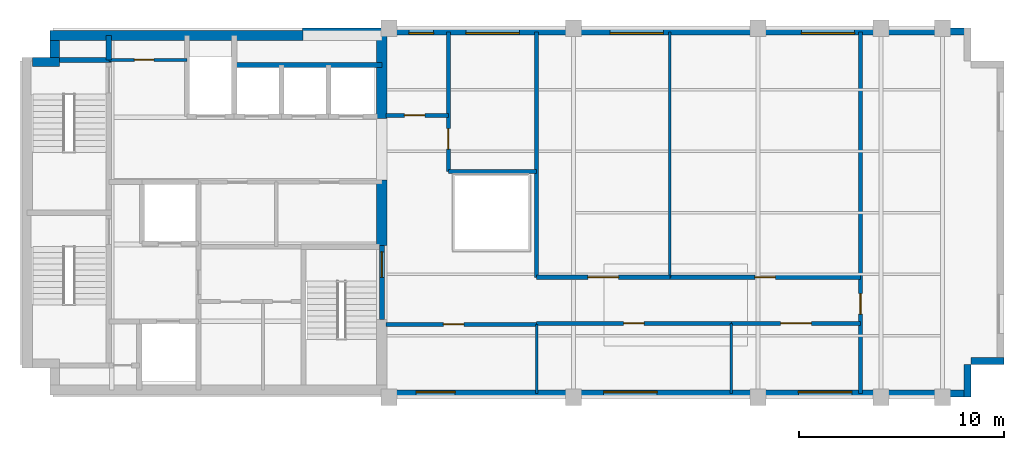
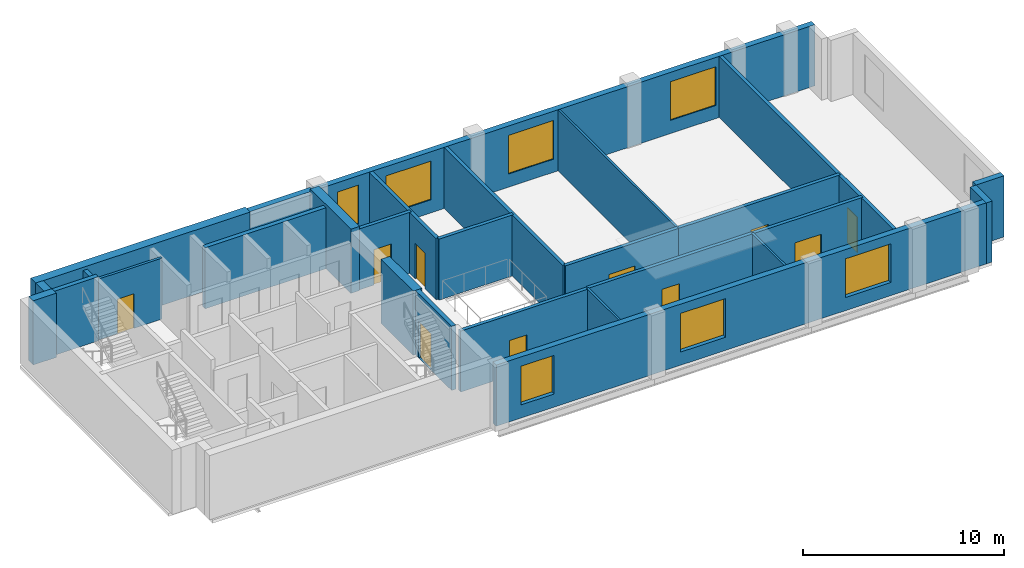
# One storey, part 3 of 5: 27 walls, 10 doors, 7 windows, 17 openings.
"""IFC4 building model written with IfcOpenShell, lengths in metres."""

from ifc_helpers import new_model, si_unit, direction, frame, frame_2d, origin, place, context, subcontext, project, spatial, rectangle, extrude, material, layer, layer_set, type_object, element, fill, save


model = new_model("IFC4")

# Units and contexts
model_context = context("Model", 3, precision=1e-05, world=origin(), true_north=direction((0.0, 1.0)))
body_context = subcontext(model_context, "Body", "Model", "MODEL_VIEW")
ifc_project = project(units=[si_unit("LENGTHUNIT", "METRE"), si_unit("AREAUNIT", "SQUARE_METRE"), si_unit("VOLUMEUNIT", "CUBIC_METRE"), si_unit("PLANEANGLEUNIT", "RADIAN"), si_unit("MASSUNIT", "GRAM", prefix="KILO")], contexts=[model_context])

# Site, building, storey
site_placement = place(None, origin())
site = spatial("IfcSite", under=ifc_project, at=site_placement, CompositionType="ELEMENT")
building_placement = place(site_placement, origin())
building = spatial("IfcBuilding", under=site, at=building_placement, Name="Mawjdan Bourse Tower", CompositionType="ELEMENT")
storey_placement = place(building_placement, frame((0.0, 0.0, 258.60009765625)))
storey = spatial("IfcBuildingStorey", under=building, at=storey_placement, Name="L63", CompositionType="ELEMENT", Elevation=258.60009765625)

# Wall, openings, windows
ifc_material_1 = material(Name="Brick Masonry Buff", Category="masonry")
ifc_layer_1 = layer(ifc_material_1, 0.340087890625)
ifc_layer_set_1 = layer_set([ifc_layer_1], Name="Brick Masonry Buff")
wall_type_1 = type_object("IfcWallType", Name="WL-BRK-SPN-340", PredefinedType="STANDARD", material=ifc_layer_set_1)
wall_1_placement = place(storey_placement, frame((23.89990234375, 3.169921875, 0.0), z_axis=(0.0, 0.0, 1.0), x_axis=(1.0, 0.0, 0.0)))
wall_1 = element("IfcWall", 1, at=wall_1_placement, inside=storey, type_object=wall_type_1, Name="L63 Exterior Brick Wall 1", PredefinedType="STANDARD", context=body_context, shape_type="SweptSolid", body=[
    extrude(rectangle(XDim=28.5, YDim=0.340087890625, at=frame_2d((14.25, 0.0))), origin(), (0.0, 0.0, 1.0), 3.71484375),
])
opening_1_placement = place(wall_1_placement, frame((1.425048828125, 0.0, 0.800048828125)))
opening_1 = element("IfcOpeningElement", 2, at=opening_1_placement, cuts=wall_1, Name="Opening W-L63-01", PredefinedType="OPENING", context=body_context, shape_type="SweptSolid", body=[
    extrude(rectangle(XDim=1.89990234375, YDim=2.35009765625, at=frame_2d((0.949951171875, 1.175048828125))), frame((0.0, 0.18017578125, 0.0), z_axis=(0.0, -1.0, 0.0), x_axis=(1.0, 0.0, 0.0)), (0.0, 0.0, 1.0), 0.360107421875),
])
opening_2_placement = place(wall_1_placement, frame((10.574951171875, 0.0, 0.800048828125)))
opening_2 = element("IfcOpeningElement", 3, at=opening_2_placement, cuts=wall_1, Name="Opening W-L63-02", PredefinedType="OPENING", context=body_context, shape_type="SweptSolid", body=[
    extrude(rectangle(XDim=2.60009765625, YDim=2.35009765625, at=frame_2d((1.300048828125, 1.175048828125))), frame((0.0, 0.18017578125, 0.0), z_axis=(0.0, -1.0, 0.0), x_axis=(1.0, 0.0, 0.0)), (0.0, 0.0, 1.0), 0.360107421875),
])
opening_3_placement = place(wall_1_placement, frame((20.074951171875, 0.0, 0.800048828125)))
opening_3 = element("IfcOpeningElement", 4, at=opening_3_placement, cuts=wall_1, Name="Opening W-L63-03", PredefinedType="OPENING", context=body_context, shape_type="SweptSolid", body=[
    extrude(rectangle(XDim=2.60009765625, YDim=2.35009765625, at=frame_2d((1.300048828125, 1.175048828125))), frame((0.0, 0.18017578125, 0.0), z_axis=(0.0, -1.0, 0.0), x_axis=(1.0, 0.0, 0.0)), (0.0, 0.0, 1.0), 0.360107421875),
])
ifc_material_2 = material(Name="Solar-Control Clear Double Glazing", Category="glass")
window_type_1 = type_object("IfcWindowType", Name="WN-SMT-1900", PartitioningType="SINGLE_PANEL", PredefinedType="WINDOW", material=ifc_material_2)
window_1_placement = place(opening_1_placement, origin())
window_1 = element("IfcWindow", 5, at=window_1_placement, inside=storey, type_object=window_type_1, Name="L63 Deep-Set Masonry Window W-L63-01", OverallHeight=2.35009765625, OverallWidth=1.89990234375, PartitioningType="SINGLE_PANEL", PredefinedType="WINDOW", context=body_context, shape_type="SweptSolid", body=[
    extrude(rectangle(XDim=1.89990234375, YDim=2.35009765625, at=frame_2d((0.949951171875, 1.175048828125))), frame((0.0, 0.110107421875, 0.0), z_axis=(0.0, -1.0, 0.0), x_axis=(1.0, 0.0, 0.0)), (0.0, 0.0, 1.0), 0.06005859375),
])
fill(opening_1, window_1)
window_type_2 = type_object("IfcWindowType", Name="WN-SMT-2600", PartitioningType="SINGLE_PANEL", PredefinedType="WINDOW", material=ifc_material_2)
window_2_placement = place(opening_2_placement, origin())
window_2 = element("IfcWindow", 6, at=window_2_placement, inside=storey, type_object=window_type_2, Name="L63 Deep-Set Masonry Window W-L63-02", OverallHeight=2.35009765625, OverallWidth=2.60009765625, PartitioningType="SINGLE_PANEL", PredefinedType="WINDOW", context=body_context, shape_type="SweptSolid", body=[
    extrude(rectangle(XDim=2.60009765625, YDim=2.35009765625, at=frame_2d((1.300048828125, 1.175048828125))), frame((0.0, 0.110107421875, 0.0), z_axis=(0.0, -1.0, 0.0), x_axis=(1.0, 0.0, 0.0)), (0.0, 0.0, 1.0), 0.06005859375),
])
fill(opening_2, window_2)
window_3_placement = place(opening_3_placement, origin())
window_3 = element("IfcWindow", 7, at=window_3_placement, inside=storey, type_object=window_type_2, Name="L63 Deep-Set Masonry Window W-L63-03", OverallHeight=2.35009765625, OverallWidth=2.60009765625, PartitioningType="SINGLE_PANEL", PredefinedType="WINDOW", context=body_context, shape_type="SweptSolid", body=[
    extrude(rectangle(XDim=2.60009765625, YDim=2.35009765625, at=frame_2d((1.300048828125, 1.175048828125))), frame((0.0, 0.110107421875, 0.0), z_axis=(0.0, -1.0, 0.0), x_axis=(1.0, 0.0, 0.0)), (0.0, 0.0, 1.0), 0.06005859375),
])
fill(opening_3, window_3)

# Walls
for number, where, z_axis, x_axis, name in (
    (8, (52.22998046875, 3.0, 0.0), (0.0, 0.0, 1.0), (0.0, 1.0, 0.0), "L63 Exterior Brick Wall 2"),
    (9, (52.39990234375, 4.77001953125, 0.0), (0.0, 0.0, 1.0), (1.0, 0.0, 0.0), "L63 Exterior Brick Wall 3"),
):
    element("IfcWall", number, at=place(storey_placement, frame(where, z_axis=z_axis, x_axis=x_axis)), inside=storey, type_object=wall_type_1, Name=name, PredefinedType="STANDARD", context=body_context, shape_type="SweptSolid", body=[
        extrude(rectangle(XDim=1.60009765625, YDim=0.340087890625, at=frame_2d((0.800048828125, 0.0))), origin(), (0.0, 0.0, 1.0), 3.71484375),
    ])

# Wall, openings, windows
wall_2_placement = place(storey_placement, frame((52.39990234375, 20.830078125, 0.0), z_axis=(0.0, 0.0, 1.0), x_axis=(-1.0, 0.0, 0.0)))
wall_2 = element("IfcWall", 10, at=wall_2_placement, inside=storey, type_object=wall_type_1, Name="L63 Exterior Brick Wall 7", PredefinedType="STANDARD", context=body_context, shape_type="SweptSolid", body=[
    extrude(rectangle(XDim=32.619873046875, YDim=0.340087890625, at=frame_2d((16.31005859375, 0.0))), origin(), (0.0, 0.0, 1.0), 3.71484375),
])
opening_4_placement = place(wall_2_placement, frame((5.68994140625, 0.0, 0.800048828125)))
opening_4 = element("IfcOpeningElement", 11, at=opening_4_placement, cuts=wall_2, Name="Opening W-L63-06", PredefinedType="OPENING", context=body_context, shape_type="SweptSolid", body=[
    extrude(rectangle(XDim=2.60009765625, YDim=2.35009765625, at=frame_2d((1.300048828125, 1.175048828125))), frame((0.0, 0.18017578125, 0.0), z_axis=(0.0, -1.0, 0.0), x_axis=(1.0, 0.0, 0.0)), (0.0, 0.0, 1.0), 0.360107421875),
])
opening_5_placement = place(wall_2_placement, frame((15.010009765625, 0.0, 0.800048828125)))
opening_5 = element("IfcOpeningElement", 12, at=opening_5_placement, cuts=wall_2, Name="Opening W-L63-07", PredefinedType="OPENING", context=body_context, shape_type="SweptSolid", body=[
    extrude(rectangle(XDim=2.60009765625, YDim=2.35009765625, at=frame_2d((1.300048828125, 1.175048828125))), frame((0.0, 0.18017578125, 0.0), z_axis=(0.0, -1.0, 0.0), x_axis=(1.0, 0.0, 0.0)), (0.0, 0.0, 1.0), 0.360107421875),
])
opening_6_placement = place(wall_2_placement, frame((26.225830078125, 0.0, 0.800048828125)))
opening_6 = element("IfcOpeningElement", 13, at=opening_6_placement, cuts=wall_2, Name="Opening W-L63-08", PredefinedType="OPENING", context=body_context, shape_type="SweptSolid", body=[
    extrude(rectangle(XDim=1.199951171875, YDim=2.35009765625, at=frame_2d((0.60009765625, 1.175048828125))), frame((0.0, 0.18017578125, 0.0), z_axis=(0.0, -1.0, 0.0), x_axis=(1.0, 0.0, 0.0)), (0.0, 0.0, 1.0), 0.360107421875),
])
opening_7_placement = place(wall_2_placement, frame((22.0458984375, 0.0, 0.800048828125)))
opening_7 = element("IfcOpeningElement", 14, at=opening_7_placement, cuts=wall_2, Name="Opening W-L63-09", PredefinedType="OPENING", context=body_context, shape_type="SweptSolid", body=[
    extrude(rectangle(XDim=2.60009765625, YDim=2.35009765625, at=frame_2d((1.300048828125, 1.175048828125))), frame((0.0, 0.18017578125, 0.0), z_axis=(0.0, -1.0, 0.0), x_axis=(1.0, 0.0, 0.0)), (0.0, 0.0, 1.0), 0.360107421875),
])
window_type_3 = type_object("IfcWindowType", Name="WN-SMT-1200", PartitioningType="SINGLE_PANEL", PredefinedType="WINDOW", material=ifc_material_2)
window_4_placement = place(opening_6_placement, origin())
window_4 = element("IfcWindow", 15, at=window_4_placement, inside=storey, type_object=window_type_3, Name="L63 Deep-Set Masonry Window W-L63-08", OverallHeight=2.35009765625, OverallWidth=1.199951171875, PartitioningType="SINGLE_PANEL", PredefinedType="WINDOW", context=body_context, shape_type="SweptSolid", body=[
    extrude(rectangle(XDim=1.199951171875, YDim=2.35009765625, at=frame_2d((0.60009765625, 1.175048828125))), frame((0.0, 0.110107421875, 0.0), z_axis=(0.0, -1.0, 0.0), x_axis=(1.0, 0.0, 0.0)), (0.0, 0.0, 1.0), 0.06005859375),
])
fill(opening_6, window_4)
window_5_placement = place(opening_4_placement, origin())
window_5 = element("IfcWindow", 16, at=window_5_placement, inside=storey, type_object=window_type_2, Name="L63 Deep-Set Masonry Window W-L63-06", OverallHeight=2.35009765625, OverallWidth=2.60009765625, PartitioningType="SINGLE_PANEL", PredefinedType="WINDOW", context=body_context, shape_type="SweptSolid", body=[
    extrude(rectangle(XDim=2.60009765625, YDim=2.35009765625, at=frame_2d((1.300048828125, 1.175048828125))), frame((0.0, 0.110107421875, 0.0), z_axis=(0.0, -1.0, 0.0), x_axis=(1.0, 0.0, 0.0)), (0.0, 0.0, 1.0), 0.06005859375),
])
fill(opening_4, window_5)
window_6_placement = place(opening_5_placement, origin())
window_6 = element("IfcWindow", 17, at=window_6_placement, inside=storey, type_object=window_type_2, Name="L63 Deep-Set Masonry Window W-L63-07", OverallHeight=2.35009765625, OverallWidth=2.60009765625, PartitioningType="SINGLE_PANEL", PredefinedType="WINDOW", context=body_context, shape_type="SweptSolid", body=[
    extrude(rectangle(XDim=2.60009765625, YDim=2.35009765625, at=frame_2d((1.300048828125, 1.175048828125))), frame((0.0, 0.110107421875, 0.0), z_axis=(0.0, -1.0, 0.0), x_axis=(1.0, 0.0, 0.0)), (0.0, 0.0, 1.0), 0.06005859375),
])
fill(opening_5, window_6)
window_7_placement = place(opening_7_placement, origin())
window_7 = element("IfcWindow", 18, at=window_7_placement, inside=storey, type_object=window_type_2, Name="L63 Deep-Set Masonry Window W-L63-09", OverallHeight=2.35009765625, OverallWidth=2.60009765625, PartitioningType="SINGLE_PANEL", PredefinedType="WINDOW", context=body_context, shape_type="SweptSolid", body=[
    extrude(rectangle(XDim=2.60009765625, YDim=2.35009765625, at=frame_2d((1.300048828125, 1.175048828125))), frame((0.0, 0.110107421875, 0.0), z_axis=(0.0, -1.0, 0.0), x_axis=(1.0, 0.0, 0.0)), (0.0, 0.0, 1.0), 0.06005859375),
])
fill(opening_7, window_7)

# Wall, opening, door
ifc_material_3 = material(Name="Gypsum Fireboard Assembly")
ifc_layer_2 = layer(ifc_material_3, 0.199951171875)
ifc_layer_set_2 = layer_set([ifc_layer_2], Name="Gypsum Fireboard Assembly")
wall_type_2 = type_object("IfcWallType", Name="WL-CMP-200", PredefinedType="PARTITIONING", material=ifc_layer_set_2)
wall_3_placement = place(storey_placement, frame((23.85009765625, 6.550048828125, 0.0), z_axis=(0.0, 0.0, 1.0), x_axis=(1.0, 0.0, 0.0)))
wall_3 = element("IfcWall", 19, at=wall_3_placement, inside=storey, type_object=wall_type_2, Name="L63 Summit Throat South Wall", PredefinedType="PARTITIONING", context=body_context, shape_type="SweptSolid", body=[
    extrude(rectangle(XDim=7.349853515625, YDim=0.199951171875, at=frame_2d((3.6748046875, 0.0))), origin(), (0.0, 0.0, 1.0), 3.704833984375),
])
opening_8_placement = place(wall_3_placement, frame((2.800048828125, 0.0, 0.0)))
opening_8 = element("IfcOpeningElement", 20, at=opening_8_placement, cuts=wall_3, Name="Opening D-L63-18", PredefinedType="OPENING", context=body_context, shape_type="SweptSolid", body=[
    extrude(rectangle(XDim=1.0, YDim=2.14990234375, at=frame_2d((0.5, 1.074951171875))), frame((0.0, 0.10986328125, 0.0), z_axis=(0.0, -1.0, 0.0), x_axis=(1.0, 0.0, 0.0)), (0.0, 0.0, 1.0), 0.219970703125),
])
ifc_material_4 = material(Name="Hardwood Acoustic Leaf", Category="wood")
door_type_1 = type_object("IfcDoorType", Name="DR-OFC-1000", OperationType="NOTDEFINED", PredefinedType="DOOR", material=ifc_material_4)
door_1_placement = place(opening_8_placement, origin())
door_1 = element("IfcDoor", 21, at=door_1_placement, inside=storey, type_object=door_type_1, Name="L63 Summit Throat South Room Door D-L63-18", OperationType="SINGLE_SWING_LEFT", OverallHeight=2.14990234375, OverallWidth=1.0, PredefinedType="DOOR", context=body_context, shape_type="SweptSolid", body=[
    extrude(rectangle(XDim=1.0, YDim=2.14990234375, at=frame_2d((0.5, 1.074951171875))), frame((0.0, 0.02490234375, 0.0), z_axis=(0.0, -1.0, 0.0), x_axis=(1.0, 0.0, 0.0)), (0.0, 0.0, 1.0), 0.050048828125),
])
fill(opening_8, door_1)

wall_4_placement = place(storey_placement, frame((23.85009765625, 16.75, 0.0), z_axis=(0.0, 0.0, 1.0), x_axis=(1.0, 0.0, 0.0)))
wall_4 = element("IfcWall", 22, at=wall_4_placement, inside=storey, type_object=wall_type_2, Name="L63 Summit NW Study South Wall", PredefinedType="PARTITIONING", context=body_context, shape_type="SweptSolid", body=[
    extrude(rectangle(XDim=3.0498046875, YDim=0.199951171875, at=frame_2d((1.52490234375, 0.0))), origin(), (0.0, 0.0, 1.0), 3.704833984375),
])
opening_9_placement = place(wall_4_placement, frame((0.89990234375, 0.0, 0.0)))
opening_9 = element("IfcOpeningElement", 23, at=opening_9_placement, cuts=wall_4, Name="Opening D-L63-19", PredefinedType="OPENING", context=body_context, shape_type="SweptSolid", body=[
    extrude(rectangle(XDim=1.0, YDim=2.14990234375, at=frame_2d((0.5, 1.074951171875))), frame((0.0, 0.10986328125, 0.0), z_axis=(0.0, -1.0, 0.0), x_axis=(1.0, 0.0, 0.0)), (0.0, 0.0, 1.0), 0.219970703125),
])
door_2_placement = place(opening_9_placement, origin())
door_2 = element("IfcDoor", 24, at=door_2_placement, inside=storey, type_object=door_type_1, Name="L63 Summit NW Study Door D-L63-19", OperationType="SINGLE_SWING_RIGHT", OverallHeight=2.14990234375, OverallWidth=1.0, PredefinedType="DOOR", context=body_context, shape_type="SweptSolid", body=[
    extrude(rectangle(XDim=1.0, YDim=2.14990234375, at=frame_2d((0.5, 1.074951171875))), frame((0.0, 0.02490234375, 0.0), z_axis=(0.0, -1.0, 0.0), x_axis=(1.0, 0.0, 0.0)), (0.0, 0.0, 1.0), 0.050048828125),
])
fill(opening_9, door_2)

wall_5_placement = place(storey_placement, frame((26.89990234375, 14.0, 0.0), z_axis=(0.0, 0.0, 1.0), x_axis=(0.0, 1.0, 0.0)))
wall_5 = element("IfcWall", 25, at=wall_5_placement, inside=storey, type_object=wall_type_2, Name="L63 Summit North Atrium Suite West Wall", PredefinedType="PARTITIONING", context=body_context, shape_type="SweptSolid", body=[
    extrude(rectangle(XDim=6.820068359375, YDim=0.199951171875, at=frame_2d((3.41015625, 0.0))), origin(), (0.0, 0.0, 1.0), 3.704833984375),
])
opening_10_placement = place(wall_5_placement, frame((1.10009765625, 0.0, 0.0)))
opening_10 = element("IfcOpeningElement", 26, at=opening_10_placement, cuts=wall_5, Name="Opening D-L63-20", PredefinedType="OPENING", context=body_context, shape_type="SweptSolid", body=[
    extrude(rectangle(XDim=1.0, YDim=2.14990234375, at=frame_2d((0.5, 1.074951171875))), frame((0.0, 0.10986328125, 0.0), z_axis=(0.0, -1.0, 0.0), x_axis=(1.0, 0.0, 0.0)), (0.0, 0.0, 1.0), 0.219970703125),
])
door_3_placement = place(opening_10_placement, origin())
door_3 = element("IfcDoor", 27, at=door_3_placement, inside=storey, type_object=door_type_1, Name="L63 Summit North Atrium Suite Door D-L63-20", OperationType="SINGLE_SWING_LEFT", OverallHeight=2.14990234375, OverallWidth=1.0, PredefinedType="DOOR", context=body_context, shape_type="SweptSolid", body=[
    extrude(rectangle(XDim=1.0, YDim=2.14990234375, at=frame_2d((0.5, 1.074951171875))), frame((0.0, 0.02490234375, 0.0), z_axis=(0.0, -1.0, 0.0), x_axis=(1.0, 0.0, 0.0)), (0.0, 0.0, 1.0), 0.050048828125),
])
fill(opening_10, door_3)

# Walls
wall_6_placement = place(storey_placement, frame((26.89990234375, 14.0, 0.0), z_axis=(0.0, 0.0, 1.0), x_axis=(1.0, 0.0, 0.0)))
element("IfcWall", 28, at=wall_6_placement, inside=storey, type_object=wall_type_2, Name="L63 Summit North Atrium Suite South Wall", PredefinedType="PARTITIONING", context=body_context, shape_type="SweptSolid", body=[
    extrude(rectangle(XDim=4.300048828125, YDim=0.199951171875, at=frame_2d((2.14990234375, 0.0))), origin(), (0.0, 0.0, 1.0), 3.704833984375),
])
wall_7_placement = place(storey_placement, frame((31.199951171875, 8.85009765625, 0.0), z_axis=(0.0, 0.0, 1.0), x_axis=(0.0, 1.0, 0.0)))
element("IfcWall", 29, at=wall_7_placement, inside=storey, type_object=wall_type_2, Name="L63 Summit North Atrium Suite East Wall", PredefinedType="PARTITIONING", context=body_context, shape_type="SweptSolid", body=[
    extrude(rectangle(XDim=11.969970703125, YDim=0.199951171875, at=frame_2d((5.98486328125, 0.0))), origin(), (0.0, 0.0, 1.0), 3.704833984375),
])

# Wall, opening, door
wall_8_placement = place(storey_placement, frame((31.199951171875, 6.60009765625, 0.0), z_axis=(0.0, 0.0, 1.0), x_axis=(1.0, 0.0, 0.0)))
wall_8 = element("IfcWall", 30, at=wall_8_placement, inside=storey, type_object=wall_type_2, Name="L63 Chairman Executive Office Corridor Wall", PredefinedType="PARTITIONING", context=body_context, shape_type="SweptSolid", body=[
    extrude(rectangle(XDim=9.5, YDim=0.199951171875, at=frame_2d((4.75, 0.0))), origin(), (0.0, 0.0, 1.0), 3.704833984375),
])
opening_11_placement = place(wall_8_placement, frame((4.25, 0.0, 0.0)))
opening_11 = element("IfcOpeningElement", 31, at=opening_11_placement, cuts=wall_8, Name="Opening D-L63-21", PredefinedType="OPENING", context=body_context, shape_type="SweptSolid", body=[
    extrude(rectangle(XDim=1.0, YDim=2.14990234375, at=frame_2d((0.5, 1.074951171875))), frame((0.0, 0.10986328125, 0.0), z_axis=(0.0, -1.0, 0.0), x_axis=(1.0, 0.0, 0.0)), (0.0, 0.0, 1.0), 0.219970703125),
])
door_4_placement = place(opening_11_placement, origin())
door_4 = element("IfcDoor", 32, at=door_4_placement, inside=storey, type_object=door_type_1, Name="L63 Chairman Executive Office Door D-L63-21", OperationType="SINGLE_SWING_RIGHT", OverallHeight=2.14990234375, OverallWidth=1.0, PredefinedType="DOOR", context=body_context, shape_type="SweptSolid", body=[
    extrude(rectangle(XDim=1.0, YDim=2.14990234375, at=frame_2d((0.5, 1.074951171875))), frame((0.0, 0.02490234375, 0.0), z_axis=(0.0, -1.0, 0.0), x_axis=(1.0, 0.0, 0.0)), (0.0, 0.0, 1.0), 0.050048828125),
])
fill(opening_11, door_4)

wall_9_placement = place(storey_placement, frame((40.699951171875, 6.60009765625, 0.0), z_axis=(0.0, 0.0, 1.0), x_axis=(1.0, 0.0, 0.0)))
wall_9 = element("IfcWall", 33, at=wall_9_placement, inside=storey, type_object=wall_type_2, Name="L63 Bourse Executive Boardroom Corridor Wall", PredefinedType="PARTITIONING", context=body_context, shape_type="SweptSolid", body=[
    extrude(rectangle(XDim=6.300048828125, YDim=0.199951171875, at=frame_2d((3.14990234375, 0.0))), origin(), (0.0, 0.0, 1.0), 3.704833984375),
])
opening_12_placement = place(wall_9_placement, frame((2.39990234375, 0.0, 0.0)))
opening_12 = element("IfcOpeningElement", 34, at=opening_12_placement, cuts=wall_9, Name="Opening D-L63-22", PredefinedType="OPENING", context=body_context, shape_type="SweptSolid", body=[
    extrude(rectangle(XDim=1.5, YDim=2.300048828125, at=frame_2d((0.75, 1.14990234375))), frame((0.0, 0.10986328125, 0.0), z_axis=(0.0, -1.0, 0.0), x_axis=(1.0, 0.0, 0.0)), (0.0, 0.0, 1.0), 0.219970703125),
])
ifc_material_5 = material(Name="Acoustic Glazed Timber", Category="wood")
door_type_2 = type_object("IfcDoorType", Name="DR-CNF-1500", OperationType="DOUBLE_DOOR_SINGLE_SWING", PredefinedType="DOOR", material=ifc_material_5)
door_5_placement = place(opening_12_placement, origin())
door_5 = element("IfcDoor", 35, at=door_5_placement, inside=storey, type_object=door_type_2, Name="L63 Bourse Executive Boardroom Door D-L63-22", OperationType="DOUBLE_DOOR_SINGLE_SWING", OverallHeight=2.300048828125, OverallWidth=1.5, PredefinedType="DOOR", context=body_context, shape_type="SweptSolid", body=[
    extrude(rectangle(XDim=1.5, YDim=2.300048828125, at=frame_2d((0.75, 1.14990234375))), frame((0.0, 0.02490234375, 0.0), z_axis=(0.0, -1.0, 0.0), x_axis=(1.0, 0.0, 0.0)), (0.0, 0.0, 1.0), 0.050048828125),
])
fill(opening_12, door_5)

wall_10_placement = place(storey_placement, frame((31.199951171875, 8.85009765625, 0.0), z_axis=(0.0, 0.0, 1.0), x_axis=(1.0, 0.0, 0.0)))
wall_10 = element("IfcWall", 36, at=wall_10_placement, inside=storey, type_object=wall_type_2, Name="L63 Conference Room Corridor Wall", PredefinedType="PARTITIONING", context=body_context, shape_type="SweptSolid", body=[
    extrude(rectangle(XDim=6.5, YDim=0.199951171875, at=frame_2d((3.25, 0.0))), origin(), (0.0, 0.0, 1.0), 3.704833984375),
])
opening_13_placement = place(wall_10_placement, frame((2.5, 0.0, 0.0)))
opening_13 = element("IfcOpeningElement", 37, at=opening_13_placement, cuts=wall_10, Name="Opening D-L63-23", PredefinedType="OPENING", context=body_context, shape_type="SweptSolid", body=[
    extrude(rectangle(XDim=1.5, YDim=2.300048828125, at=frame_2d((0.75, 1.14990234375))), frame((0.0, 0.10986328125, 0.0), z_axis=(0.0, -1.0, 0.0), x_axis=(1.0, 0.0, 0.0)), (0.0, 0.0, 1.0), 0.219970703125),
])
door_6_placement = place(opening_13_placement, origin())
door_6 = element("IfcDoor", 38, at=door_6_placement, inside=storey, type_object=door_type_2, Name="L63 Conference Room Door D-L63-23", OperationType="DOUBLE_DOOR_SINGLE_SWING", OverallHeight=2.300048828125, OverallWidth=1.5, PredefinedType="DOOR", context=body_context, shape_type="SweptSolid", body=[
    extrude(rectangle(XDim=1.5, YDim=2.300048828125, at=frame_2d((0.75, 1.14990234375))), frame((0.0, 0.02490234375, 0.0), z_axis=(0.0, -1.0, 0.0), x_axis=(1.0, 0.0, 0.0)), (0.0, 0.0, 1.0), 0.050048828125),
])
fill(opening_13, door_6)

wall_11_placement = place(storey_placement, frame((37.699951171875, 8.85009765625, 0.0), z_axis=(0.0, 0.0, 1.0), x_axis=(1.0, 0.0, 0.0)))
wall_11 = element("IfcWall", 39, at=wall_11_placement, inside=storey, type_object=wall_type_2, Name="L63 Diplomatic Salon Corridor Wall", PredefinedType="PARTITIONING", context=body_context, shape_type="SweptSolid", body=[
    extrude(rectangle(XDim=9.300048828125, YDim=0.199951171875, at=frame_2d((4.64990234375, 0.0))), origin(), (0.0, 0.0, 1.0), 3.704833984375),
])
opening_14_placement = place(wall_11_placement, frame((4.14990234375, 0.0, 0.0)))
opening_14 = element("IfcOpeningElement", 40, at=opening_14_placement, cuts=wall_11, Name="Opening D-L63-24", PredefinedType="OPENING", context=body_context, shape_type="SweptSolid", body=[
    extrude(rectangle(XDim=1.0, YDim=2.14990234375, at=frame_2d((0.5, 1.074951171875))), frame((0.0, 0.10986328125, 0.0), z_axis=(0.0, -1.0, 0.0), x_axis=(1.0, 0.0, 0.0)), (0.0, 0.0, 1.0), 0.219970703125),
])
door_7_placement = place(opening_14_placement, origin())
door_7 = element("IfcDoor", 41, at=door_7_placement, inside=storey, type_object=door_type_1, Name="L63 Diplomatic Salon Door D-L63-24", OperationType="SINGLE_SWING_LEFT", OverallHeight=2.14990234375, OverallWidth=1.0, PredefinedType="DOOR", context=body_context, shape_type="SweptSolid", body=[
    extrude(rectangle(XDim=1.0, YDim=2.14990234375, at=frame_2d((0.5, 1.074951171875))), frame((0.0, 0.02490234375, 0.0), z_axis=(0.0, -1.0, 0.0), x_axis=(1.0, 0.0, 0.0)), (0.0, 0.0, 1.0), 0.050048828125),
])
fill(opening_14, door_7)

wall_12_placement = place(storey_placement, frame((47.0, 3.179931640625, 0.0), z_axis=(0.0, 0.0, 1.0), x_axis=(0.0, 1.0, 0.0)))
wall_12 = element("IfcWall", 42, at=wall_12_placement, inside=storey, type_object=wall_type_2, Name="L63 East Tip Full Cross Wall", PredefinedType="PARTITIONING", context=body_context, shape_type="SweptSolid", body=[
    extrude(rectangle(XDim=17.64013671875, YDim=0.199951171875, at=frame_2d((8.820068359375, 0.0))), origin(), (0.0, 0.0, 1.0), 3.704833984375),
])
opening_15_placement = place(wall_12_placement, frame((3.875, 0.0, 0.0)))
opening_15 = element("IfcOpeningElement", 43, at=opening_15_placement, cuts=wall_12, Name="Opening D-L63-25", PredefinedType="OPENING", context=body_context, shape_type="SweptSolid", body=[
    extrude(rectangle(XDim=1.0, YDim=2.14990234375, at=frame_2d((0.5, 1.074951171875))), frame((0.0, 0.10986328125, 0.0), z_axis=(0.0, -1.0, 0.0), x_axis=(1.0, 0.0, 0.0)), (0.0, 0.0, 1.0), 0.219970703125),
])
door_8_placement = place(opening_15_placement, origin())
door_8 = element("IfcDoor", 44, at=door_8_placement, inside=storey, type_object=door_type_1, Name="L63 East Tip Hall Door D-L63-25", OperationType="SINGLE_SWING_RIGHT", OverallHeight=2.14990234375, OverallWidth=1.0, PredefinedType="DOOR", context=body_context, shape_type="SweptSolid", body=[
    extrude(rectangle(XDim=1.0, YDim=2.14990234375, at=frame_2d((0.5, 1.074951171875))), frame((0.0, 0.02490234375, 0.0), z_axis=(0.0, -1.0, 0.0), x_axis=(1.0, 0.0, 0.0)), (0.0, 0.0, 1.0), 0.050048828125),
])
fill(opening_15, door_8)

# Walls
ifc_material_6 = material(Name="Concrete C60/75", Category="concrete")
ifc_layer_3 = layer(ifc_material_6, 0.449951171875)
ifc_layer_set_3 = layer_set([ifc_layer_3], Name="Concrete C60/75")
wall_type_3 = type_object("IfcWallType", Name="WL-CORE-450", PredefinedType="SHEAR", material=ifc_layer_set_3)
wall_13_placement = place(storey_placement, frame((6.60009765625, 19.35009765625, 0.0), z_axis=(0.0, 0.0, 1.0), x_axis=(1.0, 0.0, 0.0)))
element("IfcWall", 45, at=wall_13_placement, inside=storey, type_object=wall_type_3, Name="L63 Rear Core Shear Wall NW-X", PredefinedType="SHEAR", context=body_context, shape_type="SweptSolid", body=[
    extrude(rectangle(XDim=1.324951171875, YDim=0.449951171875, at=frame_2d((0.66259765625, 0.0))), origin(), (0.0, 0.0, 1.0), 3.89990234375),
])
wall_14_placement = place(storey_placement, frame((7.699951171875, 19.574951171875, 0.0), z_axis=(0.0, 0.0, 1.0), x_axis=(0.0, 1.0, 0.0)))
element("IfcWall", 46, at=wall_14_placement, inside=storey, type_object=wall_type_3, Name="L63 Rear Core Shear Wall NW-Y", PredefinedType="SHEAR", context=body_context, shape_type="SweptSolid", body=[
    extrude(rectangle(XDim=0.824951171875, YDim=0.449951171875, at=frame_2d((0.41259765625, 0.0))), origin(), (0.0, 0.0, 1.0), 3.89990234375),
])
ifc_layer_4 = layer(ifc_material_6, 0.5)
ifc_layer_set_4 = layer_set([ifc_layer_4], Name="Concrete C60/75")
wall_type_4 = type_object("IfcWallType", Name="WL-CORE-500", PredefinedType="SHEAR", material=ifc_layer_set_4)
wall_15_placement = place(storey_placement, frame((7.47509765625, 20.64990234375, 0.0), z_axis=(0.0, 0.0, 1.0), x_axis=(1.0, 0.0, 0.0)))
element("IfcWall", 47, at=wall_15_placement, inside=storey, type_object=wall_type_4, Name="L63 Rear Core Shear Wall N", PredefinedType="SHEAR", context=body_context, shape_type="SweptSolid", body=[
    extrude(rectangle(XDim=12.324951171875, YDim=0.5, at=frame_2d((6.16259765625, 0.0))), origin(), (0.0, 0.0, 1.0), 3.89990234375),
])
wall_16_placement = place(storey_placement, frame((23.64990234375, 10.39990234375, 0.0), z_axis=(0.0, 0.0, 1.0), x_axis=(0.0, 1.0, 0.0)))
element("IfcWall", 48, at=wall_16_placement, inside=storey, type_object=wall_type_4, Name="L63 Rear Core Shear Wall E2", PredefinedType="SHEAR", context=body_context, shape_type="SweptSolid", body=[
    extrude(rectangle(XDim=3.2001953125, YDim=0.5, at=frame_2d((1.60009765625, 0.0))), origin(), (0.0, 0.0, 1.0), 3.89990234375),
])
wall_17_placement = place(storey_placement, frame((23.64990234375, 16.60009765625, 0.0), z_axis=(0.0, 0.0, 1.0), x_axis=(0.0, 1.0, 0.0)))
element("IfcWall", 49, at=wall_17_placement, inside=storey, type_object=wall_type_4, Name="L63 Rear Core Shear Wall E3", PredefinedType="SHEAR", context=body_context, shape_type="SweptSolid", body=[
    extrude(rectangle(XDim=4.0498046875, YDim=0.5, at=frame_2d((2.02490234375, 0.0))), origin(), (0.0, 0.0, 1.0), 3.89990234375),
])
ifc_material_7 = material(Name="Gypsum Partition")
ifc_layer_5 = layer(ifc_material_7, 0.125)
ifc_layer_set_5 = layer_set([ifc_layer_5], Name="Gypsum Partition")
wall_type_5 = type_object("IfcWallType", Name="WL-PRT-125", PredefinedType="PARTITIONING", material=ifc_layer_set_5)
wall_18_placement = place(storey_placement, frame((31.199951171875, 3.179931640625, 0.0), z_axis=(0.0, 0.0, 1.0), x_axis=(0.0, 1.0, 0.0)))
element("IfcWall", 50, at=wall_18_placement, inside=storey, type_object=wall_type_5, Name="L63 Summit Throat South Return", PredefinedType="PARTITIONING", context=body_context, shape_type="SweptSolid", body=[
    extrude(rectangle(XDim=3.3701171875, YDim=0.125, at=frame_2d((1.68505859375, 0.0))), origin(), (0.0, 0.0, 1.0), 3.704833984375),
])
wall_19_placement = place(storey_placement, frame((40.699951171875, 3.179931640625, 0.0), z_axis=(0.0, 0.0, 1.0), x_axis=(0.0, 1.0, 0.0)))
element("IfcWall", 51, at=wall_19_placement, inside=storey, type_object=wall_type_5, Name="L63 Bourse Executive Boardroom Partition", PredefinedType="PARTITIONING", context=body_context, shape_type="SweptSolid", body=[
    extrude(rectangle(XDim=3.420166015625, YDim=0.125, at=frame_2d((1.7099609375, 0.0))), origin(), (0.0, 0.0, 1.0), 3.704833984375),
])
wall_20_placement = place(storey_placement, frame((37.699951171875, 8.85009765625, 0.0), z_axis=(0.0, 0.0, 1.0), x_axis=(0.0, 1.0, 0.0)))
element("IfcWall", 52, at=wall_20_placement, inside=storey, type_object=wall_type_5, Name="L63 Diplomatic Salon Partition", PredefinedType="PARTITIONING", context=body_context, shape_type="SweptSolid", body=[
    extrude(rectangle(XDim=11.969970703125, YDim=0.125, at=frame_2d((5.98486328125, 0.0))), origin(), (0.0, 0.0, 1.0), 3.704833984375),
])

# Wall, opening, door
ifc_material_8 = material(Name="Gypsum Acoustic Partition")
ifc_layer_6 = layer(ifc_material_8, 0.14990234375)
ifc_layer_set_6 = layer_set([ifc_layer_6], Name="Gypsum Acoustic Partition")
wall_type_6 = type_object("IfcWallType", Name="WL-PRT-150", PredefinedType="PARTITIONING", material=ifc_layer_set_6)
wall_21_placement = place(storey_placement, frame((10.330078125, 19.449951171875, 0.0), z_axis=(0.0, 0.0, 1.0), x_axis=(1.0, 0.0, 0.0)))
wall_21 = element("IfcWall", 53, at=wall_21_placement, inside=storey, type_object=wall_type_6, Name="L63 Housekeeping South Wall", PredefinedType="PARTITIONING", context=body_context, shape_type="SweptSolid", body=[
    extrude(rectangle(XDim=3.81982421875, YDim=0.14990234375, at=frame_2d((1.909912109375, 0.0))), origin(), (0.0, 0.0, 1.0), 3.704833984375),
])
opening_16_placement = place(wall_21_placement, frame((1.25, 0.0, 0.0)))
opening_16 = element("IfcOpeningElement", 54, at=opening_16_placement, cuts=wall_21, Name="Opening D-L63-17", PredefinedType="OPENING", context=body_context, shape_type="SweptSolid", body=[
    extrude(rectangle(XDim=0.949951171875, YDim=2.10009765625, at=frame_2d((0.47509765625, 1.050048828125))), frame((0.0, 0.0849609375, 0.0), z_axis=(0.0, -1.0, 0.0), x_axis=(1.0, 0.0, 0.0)), (0.0, 0.0, 1.0), 0.169921875),
])
ifc_material_9 = material(Name="Moisture-Resistant Laminate Timber", Category="wood")
door_type_3 = type_object("IfcDoorType", Name="DR-WET-0950", OperationType="NOTDEFINED", PredefinedType="DOOR", material=ifc_material_9)
door_9_placement = place(opening_16_placement, origin())
door_9 = element("IfcDoor", 55, at=door_9_placement, inside=storey, type_object=door_type_3, Name="L63 Housekeeping Closet Door D-L63-17", OperationType="SINGLE_SWING_RIGHT", OverallHeight=2.10009765625, OverallWidth=0.949951171875, PredefinedType="DOOR", context=body_context, shape_type="SweptSolid", body=[
    extrude(rectangle(XDim=0.949951171875, YDim=2.10009765625, at=frame_2d((0.47509765625, 1.050048828125))), frame((0.0, 0.02490234375, 0.0), z_axis=(0.0, -1.0, 0.0), x_axis=(1.0, 0.0, 0.0)), (0.0, 0.0, 1.0), 0.050048828125),
])
fill(opening_16, door_9)

# Walls
ifc_material_10 = material(Name="Concrete C50/60", Category="concrete")
ifc_layer_7 = layer(ifc_material_10, 0.25)
ifc_layer_set_7 = layer_set([ifc_layer_7], Name="Concrete C50/60")
wall_type_7 = type_object("IfcWallType", Name="WL-SHFT-250", PredefinedType="PARTITIONING", material=ifc_layer_set_7)
wall_22_placement = place(storey_placement, frame((10.330078125, 19.449951171875, 0.0), z_axis=(0.0, 0.0, 1.0), x_axis=(0.0, 1.0, 0.0)))
element("IfcWall", 56, at=wall_22_placement, inside=storey, type_object=wall_type_7, Name="L63 NW Riser East Wall", PredefinedType="PARTITIONING", context=body_context, shape_type="SweptSolid", body=[
    extrude(rectangle(XDim=1.199951171875, YDim=0.25, at=frame_2d((0.60009765625, 0.0))), origin(), (0.0, 0.0, 1.0), 3.704833984375),
])
wall_23_placement = place(storey_placement, frame((16.449951171875, 19.199951171875, 0.0), z_axis=(0.0, 0.0, 1.0), x_axis=(1.0, 0.0, 0.0)))
element("IfcWall", 57, at=wall_23_placement, inside=storey, type_object=wall_type_7, Name="L63 PH Bank North Shaft Back Wall", PredefinedType="PARTITIONING", context=body_context, shape_type="SweptSolid", body=[
    extrude(rectangle(XDim=7.199951171875, YDim=0.25, at=frame_2d((3.60009765625, 0.0))), origin(), (0.0, 0.0, 1.0), 3.704833984375),
])
ifc_layer_8 = layer(ifc_material_10, 0.25)
ifc_layer_set_8 = layer_set([ifc_layer_8], Name="Concrete C50/60")
wall_type_8 = type_object("IfcWallType", Name="WL-STRW-250", PredefinedType="SHEAR", material=ifc_layer_set_8)
wall_24_placement = place(storey_placement, frame((7.699951171875, 19.449951171875, 0.0), z_axis=(0.0, 0.0, 1.0), x_axis=(1.0, 0.0, 0.0)))
element("IfcWall", 58, at=wall_24_placement, inside=storey, type_object=wall_type_8, Name="L63 Stairwell ST2 North Shaft Wall", PredefinedType="SHEAR", context=body_context, shape_type="SweptSolid", body=[
    extrude(rectangle(XDim=2.755126953125, YDim=0.25, at=frame_2d((1.37744140625, 0.0))), origin(), (0.0, 0.0, 1.0), 3.89990234375),
])

# Wall, opening, door
wall_25_placement = place(storey_placement, frame((23.64990234375, 6.800048828125, 0.0), z_axis=(0.0, 0.0, 1.0), x_axis=(0.0, 1.0, 0.0)))
wall_25 = element("IfcWall", 59, at=wall_25_placement, inside=storey, type_object=wall_type_8, Name="L63 ST7 East Shaft Wall", PredefinedType="SHEAR", context=body_context, shape_type="SweptSolid", body=[
    extrude(rectangle(XDim=3.599853515625, YDim=0.25, at=frame_2d((1.7998046875, 0.0))), origin(), (0.0, 0.0, 1.0), 3.89990234375),
])
opening_17_placement = place(wall_25_placement, frame((2.0400390625, 0.0, 0.0)))
opening_17 = element("IfcOpeningElement", 60, at=opening_17_placement, cuts=wall_25, Name="Opening SD-L63-26", PredefinedType="OPENING", context=body_context, shape_type="SweptSolid", body=[
    extrude(rectangle(XDim=1.25, YDim=2.199951171875, at=frame_2d((0.625, 1.10009765625))), frame((0.0, 0.135009765625, 0.0), z_axis=(0.0, -1.0, 0.0), x_axis=(1.0, 0.0, 0.0)), (0.0, 0.0, 1.0), 0.27001953125),
])
ifc_material_11 = material(Name="Fire-Rated Steel Leaf", Category="steel")
door_type_4 = type_object("IfcDoorType", Name="FD-ST-1250", OperationType="NOTDEFINED", PredefinedType="DOOR", material=ifc_material_11)
door_10_placement = place(opening_17_placement, origin())
door_10 = element("IfcDoor", 61, at=door_10_placement, inside=storey, type_object=door_type_4, Name="L63 Stair ST7 Fire Door SD-L63-26", OperationType="SINGLE_SWING_LEFT", OverallHeight=2.199951171875, OverallWidth=1.25, PredefinedType="DOOR", context=body_context, shape_type="SweptSolid", body=[
    extrude(rectangle(XDim=1.25, YDim=2.199951171875, at=frame_2d((0.625, 1.10009765625))), frame((0.0, 0.02490234375, 0.0), z_axis=(0.0, -1.0, 0.0), x_axis=(1.0, 0.0, 0.0)), (0.0, 0.0, 1.0), 0.050048828125),
])
fill(opening_17, door_10)

save(model, "model.ifc")
